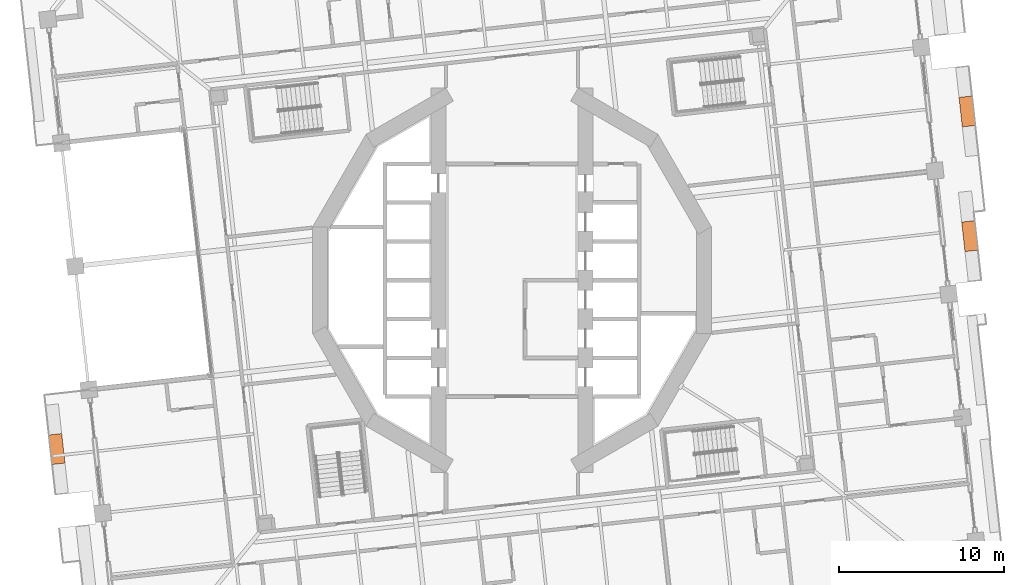
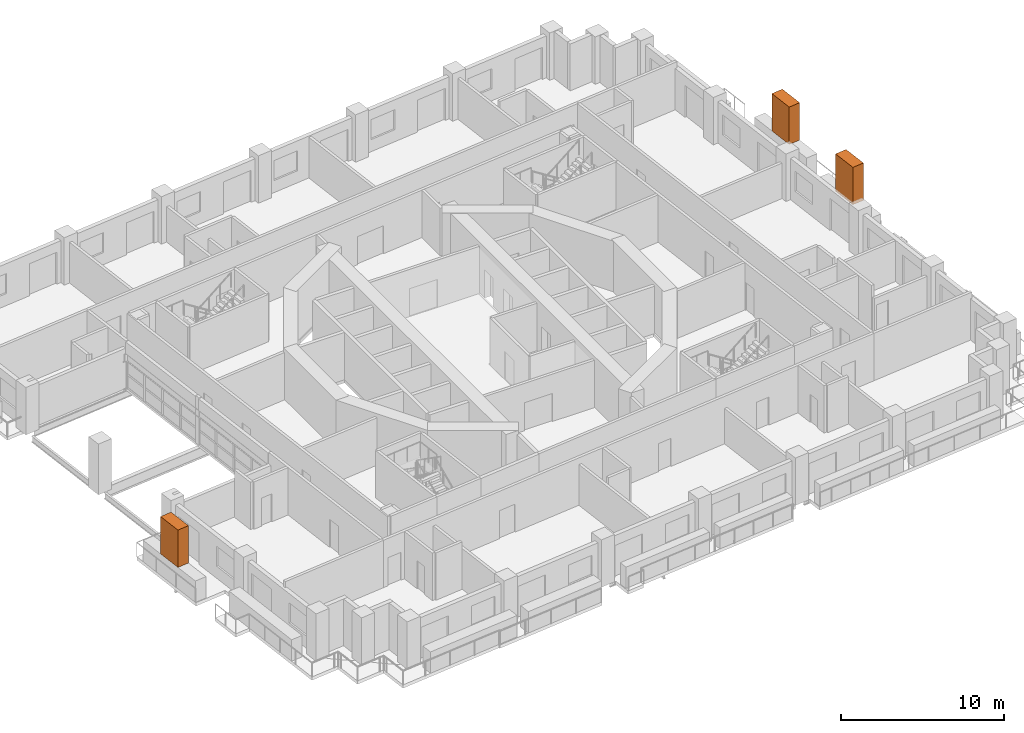
# One storey, part 21 of 21: 3 proxies.
"""IFC4 building model written with IfcOpenShell, lengths in metres."""

from ifc_helpers import new_model, si_unit, direction, frame, origin, origin_2d, place, context, subcontext, project, spatial, rectangle, extrude, element, save


model = new_model("IFC4")

# Units and contexts
model_context = context("Model", 3, precision=1e-05, world=origin(), true_north=direction((0.0, 1.0)))
body_context = subcontext(model_context, "Body", "Model", "MODEL_VIEW")
ifc_project = project(units=[si_unit("LENGTHUNIT", "METRE"), si_unit("AREAUNIT", "SQUARE_METRE"), si_unit("VOLUMEUNIT", "CUBIC_METRE"), si_unit("PLANEANGLEUNIT", "RADIAN"), si_unit("MASSUNIT", "GRAM", prefix="KILO")], contexts=[model_context])

# Site, building, storey
site_placement = place(None, origin())
site = spatial("IfcSite", under=ifc_project, at=site_placement, CompositionType="ELEMENT")
building_placement = place(site_placement, origin())
building = spatial("IfcBuilding", under=site, at=building_placement, Name="Cantera Rosa Tower", CompositionType="ELEMENT")
storey_placement = place(building_placement, frame((0.0, 0.0, 69.10009765625)))
storey = spatial("IfcBuildingStorey", under=building, at=storey_placement, Name="L14", CompositionType="ELEMENT", Elevation=69.10009765625)

# Proxies
for number, where, z_axis, x_axis, name in (
    (1, (27.733642578125, 2.67578125, 1.60009765625), (0.0, 0.0, 1.0), (-0.110312555526, 0.993896946415, 0.0), "TREE L14-03"),
    (2, (27.5732421875, 10.22412109375, 1.60009765625), (0.0, 0.0, 1.0), (-0.110312555526, 0.993896946415, 0.0), "TREE L14-04"),
    (3, (-27.5732421875, -10.22412109375, 1.60009765625), (0.0, 0.0, 1.0), (0.110312555526, -0.993896946415, 0.0), "TREE L14-15"),
):
    element("IfcBuildingElementProxy", number, at=place(storey_placement, frame(where, z_axis=z_axis, x_axis=x_axis)), inside=storey, Name=name, ObjectType="TREE", PredefinedType="USERDEFINED", context=body_context, shape_type="SweptSolid", body=[
        extrude(rectangle(XDim=1.800048828125, YDim=0.800048828125, at=origin_2d()), origin(), (0.0, 0.0, 1.0), 2.800048828125),
    ])

save(model, "model.ifc")
